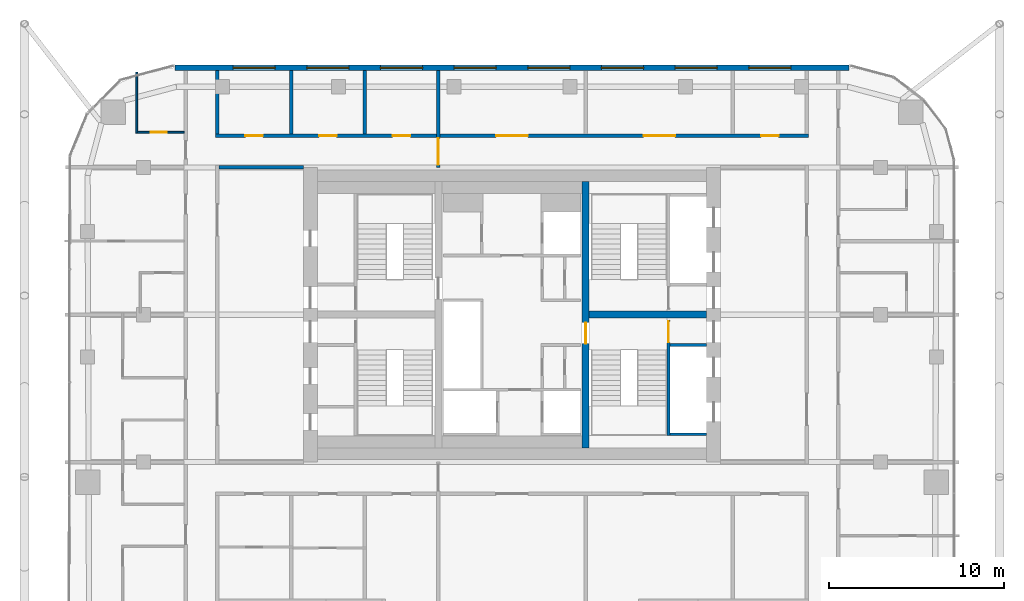
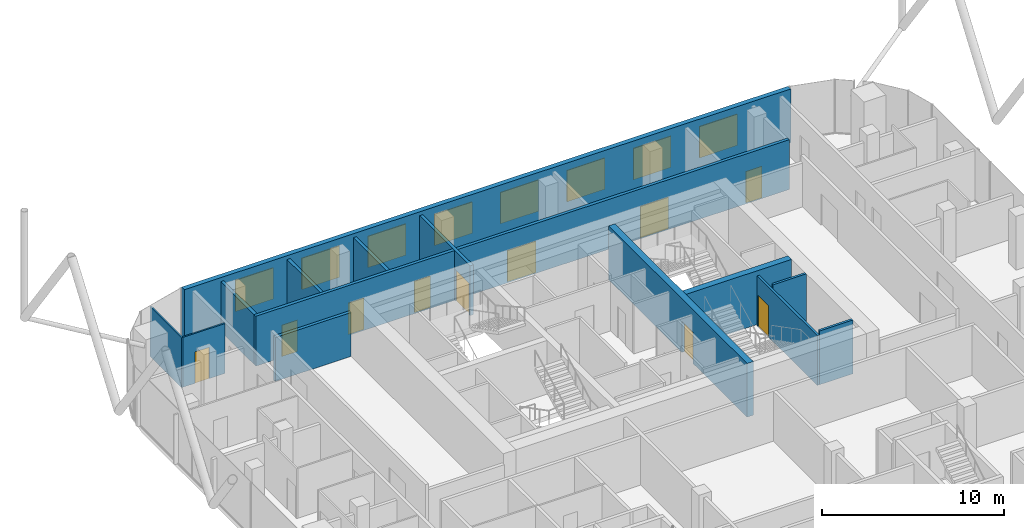
# One storey, part 25 of 28: 14 walls, 10 doors, 8 windows, 18 openings.
"""IFC4 building model written with IfcOpenShell, lengths in metres."""

from ifc_helpers import new_model, si_unit, direction, frame, frame_2d, origin, place, context, subcontext, project, spatial, rectangle, extrude, material, layer, layer_set, type_object, element, fill, save


model = new_model("IFC4")

# Units and contexts
model_context = context("Model", 3, precision=1e-05, world=origin(), true_north=direction((0.0, 1.0)))
body_context = subcontext(model_context, "Body", "Model", "MODEL_VIEW")
ifc_project = project(units=[si_unit("LENGTHUNIT", "METRE"), si_unit("AREAUNIT", "SQUARE_METRE"), si_unit("VOLUMEUNIT", "CUBIC_METRE"), si_unit("PLANEANGLEUNIT", "RADIAN"), si_unit("MASSUNIT", "GRAM", prefix="KILO")], contexts=[model_context])

# Site, building, storey
site_placement = place(None, origin())
site = spatial("IfcSite", under=ifc_project, at=site_placement, CompositionType="ELEMENT")
building_placement = place(site_placement, origin())
building = spatial("IfcBuilding", under=site, at=building_placement, Name="Marenta Gate Hotel Tower", CompositionType="ELEMENT")
storey_placement = place(building_placement, frame((0.0, 0.0, 198.5)))
storey = spatial("IfcBuildingStorey", under=building, at=storey_placement, Name="L45", CompositionType="ELEMENT", Elevation=198.5)

# Wall, openings, windows
ifc_material_1 = material(Name="Concrete C40 board-marked", Category="concrete")
ifc_layer_1 = layer(ifc_material_1, 0.300048828125)
ifc_layer_set_1 = layer_set([ifc_layer_1], Name="Concrete C40 board-marked")
wall_type_1 = type_object("IfcWallType", Name="Board-marked concrete wall 300 mm", PredefinedType="NOTDEFINED", material=ifc_layer_set_1)
wall_1_placement = place(storey_placement, frame((19.205810546875, 22.489990234375, 0.0), z_axis=(0.0, 0.0, 1.0), x_axis=(-1.0, 0.0, 0.0)))
wall_1 = element("IfcWall", 1, at=wall_1_placement, inside=storey, type_object=wall_type_1, Name="L45-CLD-N00", PredefinedType="NOTDEFINED", context=body_context, shape_type="SweptSolid", body=[
    extrude(rectangle(XDim=38.41162109375, YDim=0.300048828125, at=frame_2d((19.205810546875, 0.0))), origin(), (0.0, 0.0, 1.0), 3.60009765625),
])
opening_1_placement = place(wall_1_placement, frame((3.305908203125, 0.0, 0.89990234375)))
opening_1 = element("IfcOpeningElement", 2, at=opening_1_placement, cuts=wall_1, Name="Opening W1", PredefinedType="OPENING", context=body_context, shape_type="SweptSolid", body=[
    extrude(rectangle(XDim=2.39990234375, YDim=2.10009765625, at=frame_2d((1.199951171875, 1.050048828125))), frame((0.0, 0.14990234375, 0.0), z_axis=(0.0, -1.0, 0.0), x_axis=(1.0, 0.0, 0.0)), (0.0, 0.0, 1.0), 0.300048828125),
])
opening_2_placement = place(wall_1_placement, frame((7.505859375, 0.0, 0.89990234375)))
opening_2 = element("IfcOpeningElement", 3, at=opening_2_placement, cuts=wall_1, Name="Opening W1", PredefinedType="OPENING", context=body_context, shape_type="SweptSolid", body=[
    extrude(rectangle(XDim=2.39990234375, YDim=2.10009765625, at=frame_2d((1.199951171875, 1.050048828125))), frame((0.0, 0.14990234375, 0.0), z_axis=(0.0, -1.0, 0.0), x_axis=(1.0, 0.0, 0.0)), (0.0, 0.0, 1.0), 0.300048828125),
])
opening_3_placement = place(wall_1_placement, frame((11.705810546875, 0.0, 0.89990234375)))
opening_3 = element("IfcOpeningElement", 4, at=opening_3_placement, cuts=wall_1, Name="Opening W1", PredefinedType="OPENING", context=body_context, shape_type="SweptSolid", body=[
    extrude(rectangle(XDim=2.39990234375, YDim=2.10009765625, at=frame_2d((1.199951171875, 1.050048828125))), frame((0.0, 0.14990234375, 0.0), z_axis=(0.0, -1.0, 0.0), x_axis=(1.0, 0.0, 0.0)), (0.0, 0.0, 1.0), 0.300048828125),
])
opening_4_placement = place(wall_1_placement, frame((15.906005859375, 0.0, 0.89990234375)))
opening_4 = element("IfcOpeningElement", 5, at=opening_4_placement, cuts=wall_1, Name="Opening W1", PredefinedType="OPENING", context=body_context, shape_type="SweptSolid", body=[
    extrude(rectangle(XDim=2.39990234375, YDim=2.10009765625, at=frame_2d((1.199951171875, 1.050048828125))), frame((0.0, 0.14990234375, 0.0), z_axis=(0.0, -1.0, 0.0), x_axis=(1.0, 0.0, 0.0)), (0.0, 0.0, 1.0), 0.300048828125),
])
opening_5_placement = place(wall_1_placement, frame((20.10595703125, 0.0, 0.89990234375)))
opening_5 = element("IfcOpeningElement", 6, at=opening_5_placement, cuts=wall_1, Name="Opening W1", PredefinedType="OPENING", context=body_context, shape_type="SweptSolid", body=[
    extrude(rectangle(XDim=2.39990234375, YDim=2.10009765625, at=frame_2d((1.199951171875, 1.050048828125))), frame((0.0, 0.14990234375, 0.0), z_axis=(0.0, -1.0, 0.0), x_axis=(1.0, 0.0, 0.0)), (0.0, 0.0, 1.0), 0.300048828125),
])
opening_6_placement = place(wall_1_placement, frame((24.305908203125, 0.0, 0.89990234375)))
opening_6 = element("IfcOpeningElement", 7, at=opening_6_placement, cuts=wall_1, Name="Opening W1", PredefinedType="OPENING", context=body_context, shape_type="SweptSolid", body=[
    extrude(rectangle(XDim=2.39990234375, YDim=2.10009765625, at=frame_2d((1.199951171875, 1.050048828125))), frame((0.0, 0.14990234375, 0.0), z_axis=(0.0, -1.0, 0.0), x_axis=(1.0, 0.0, 0.0)), (0.0, 0.0, 1.0), 0.300048828125),
])
opening_7_placement = place(wall_1_placement, frame((28.505859375, 0.0, 0.89990234375)))
opening_7 = element("IfcOpeningElement", 8, at=opening_7_placement, cuts=wall_1, Name="Opening W1", PredefinedType="OPENING", context=body_context, shape_type="SweptSolid", body=[
    extrude(rectangle(XDim=2.39990234375, YDim=2.10009765625, at=frame_2d((1.199951171875, 1.050048828125))), frame((0.0, 0.14990234375, 0.0), z_axis=(0.0, -1.0, 0.0), x_axis=(1.0, 0.0, 0.0)), (0.0, 0.0, 1.0), 0.300048828125),
])
opening_8_placement = place(wall_1_placement, frame((32.705810546875, 0.0, 0.89990234375)))
opening_8 = element("IfcOpeningElement", 9, at=opening_8_placement, cuts=wall_1, Name="Opening W1", PredefinedType="OPENING", context=body_context, shape_type="SweptSolid", body=[
    extrude(rectangle(XDim=2.39990234375, YDim=2.10009765625, at=frame_2d((1.199951171875, 1.050048828125))), frame((0.0, 0.14990234375, 0.0), z_axis=(0.0, -1.0, 0.0), x_axis=(1.0, 0.0, 0.0)), (0.0, 0.0, 1.0), 0.300048828125),
])
ifc_material_2 = material(Name="Tinted insulated glass in bronze anodised frame", Category="glass")
window_type = type_object("IfcWindowType", Name="Window W1 2400x2100 bronze frame", PartitioningType="SINGLE_PANEL", PredefinedType="WINDOW", material=ifc_material_2)
window_1_placement = place(opening_1_placement, origin())
window_1 = element("IfcWindow", 10, at=window_1_placement, inside=storey, type_object=window_type, Name="Window W1", OverallHeight=2.10009765625, OverallWidth=2.39990234375, PartitioningType="SINGLE_PANEL", PredefinedType="WINDOW", context=body_context, shape_type="SweptSolid", body=[
    extrude(rectangle(XDim=2.39990234375, YDim=2.10009765625, at=frame_2d((1.199951171875, 1.050048828125))), frame((0.0, 0.030029296875, 0.0), z_axis=(0.0, -1.0, 0.0), x_axis=(1.0, 0.0, 0.0)), (0.0, 0.0, 1.0), 0.06005859375),
])
fill(opening_1, window_1)
window_2_placement = place(opening_2_placement, origin())
window_2 = element("IfcWindow", 11, at=window_2_placement, inside=storey, type_object=window_type, Name="Window W1", OverallHeight=2.10009765625, OverallWidth=2.39990234375, PartitioningType="SINGLE_PANEL", PredefinedType="WINDOW", context=body_context, shape_type="SweptSolid", body=[
    extrude(rectangle(XDim=2.39990234375, YDim=2.10009765625, at=frame_2d((1.199951171875, 1.050048828125))), frame((0.0, 0.030029296875, 0.0), z_axis=(0.0, -1.0, 0.0), x_axis=(1.0, 0.0, 0.0)), (0.0, 0.0, 1.0), 0.06005859375),
])
fill(opening_2, window_2)
window_3_placement = place(opening_3_placement, origin())
window_3 = element("IfcWindow", 12, at=window_3_placement, inside=storey, type_object=window_type, Name="Window W1", OverallHeight=2.10009765625, OverallWidth=2.39990234375, PartitioningType="SINGLE_PANEL", PredefinedType="WINDOW", context=body_context, shape_type="SweptSolid", body=[
    extrude(rectangle(XDim=2.39990234375, YDim=2.10009765625, at=frame_2d((1.199951171875, 1.050048828125))), frame((0.0, 0.030029296875, 0.0), z_axis=(0.0, -1.0, 0.0), x_axis=(1.0, 0.0, 0.0)), (0.0, 0.0, 1.0), 0.06005859375),
])
fill(opening_3, window_3)
window_4_placement = place(opening_4_placement, origin())
window_4 = element("IfcWindow", 13, at=window_4_placement, inside=storey, type_object=window_type, Name="Window W1", OverallHeight=2.10009765625, OverallWidth=2.39990234375, PartitioningType="SINGLE_PANEL", PredefinedType="WINDOW", context=body_context, shape_type="SweptSolid", body=[
    extrude(rectangle(XDim=2.39990234375, YDim=2.10009765625, at=frame_2d((1.199951171875, 1.050048828125))), frame((0.0, 0.030029296875, 0.0), z_axis=(0.0, -1.0, 0.0), x_axis=(1.0, 0.0, 0.0)), (0.0, 0.0, 1.0), 0.06005859375),
])
fill(opening_4, window_4)
window_5_placement = place(opening_5_placement, origin())
window_5 = element("IfcWindow", 14, at=window_5_placement, inside=storey, type_object=window_type, Name="Window W1", OverallHeight=2.10009765625, OverallWidth=2.39990234375, PartitioningType="SINGLE_PANEL", PredefinedType="WINDOW", context=body_context, shape_type="SweptSolid", body=[
    extrude(rectangle(XDim=2.39990234375, YDim=2.10009765625, at=frame_2d((1.199951171875, 1.050048828125))), frame((0.0, 0.030029296875, 0.0), z_axis=(0.0, -1.0, 0.0), x_axis=(1.0, 0.0, 0.0)), (0.0, 0.0, 1.0), 0.06005859375),
])
fill(opening_5, window_5)
window_6_placement = place(opening_6_placement, origin())
window_6 = element("IfcWindow", 15, at=window_6_placement, inside=storey, type_object=window_type, Name="Window W1", OverallHeight=2.10009765625, OverallWidth=2.39990234375, PartitioningType="SINGLE_PANEL", PredefinedType="WINDOW", context=body_context, shape_type="SweptSolid", body=[
    extrude(rectangle(XDim=2.39990234375, YDim=2.10009765625, at=frame_2d((1.199951171875, 1.050048828125))), frame((0.0, 0.030029296875, 0.0), z_axis=(0.0, -1.0, 0.0), x_axis=(1.0, 0.0, 0.0)), (0.0, 0.0, 1.0), 0.06005859375),
])
fill(opening_6, window_6)
window_7_placement = place(opening_7_placement, origin())
window_7 = element("IfcWindow", 16, at=window_7_placement, inside=storey, type_object=window_type, Name="Window W1", OverallHeight=2.10009765625, OverallWidth=2.39990234375, PartitioningType="SINGLE_PANEL", PredefinedType="WINDOW", context=body_context, shape_type="SweptSolid", body=[
    extrude(rectangle(XDim=2.39990234375, YDim=2.10009765625, at=frame_2d((1.199951171875, 1.050048828125))), frame((0.0, 0.030029296875, 0.0), z_axis=(0.0, -1.0, 0.0), x_axis=(1.0, 0.0, 0.0)), (0.0, 0.0, 1.0), 0.06005859375),
])
fill(opening_7, window_7)
window_8_placement = place(opening_8_placement, origin())
window_8 = element("IfcWindow", 17, at=window_8_placement, inside=storey, type_object=window_type, Name="Window W1", OverallHeight=2.10009765625, OverallWidth=2.39990234375, PartitioningType="SINGLE_PANEL", PredefinedType="WINDOW", context=body_context, shape_type="SweptSolid", body=[
    extrude(rectangle(XDim=2.39990234375, YDim=2.10009765625, at=frame_2d((1.199951171875, 1.050048828125))), frame((0.0, 0.030029296875, 0.0), z_axis=(0.0, -1.0, 0.0), x_axis=(1.0, 0.0, 0.0)), (0.0, 0.0, 1.0), 0.06005859375),
])
fill(opening_8, window_8)

# Wall, opening, door
ifc_material_3 = material(Name="Concrete blockwork", Category="masonry")
ifc_layer_2 = layer(ifc_material_3, 0.199951171875)
ifc_layer_set_2 = layer_set([ifc_layer_2], Name="Concrete blockwork")
wall_type_2 = type_object("IfcWallType", Name="Compartment wall 200 REI 180", PredefinedType="PARTITIONING", material=ifc_layer_set_2)
wall_2_placement = place(storey_placement, frame((-4.199951171875, 16.800048828125, 0.0), z_axis=(0.0, 0.0, 1.0), x_axis=(0.0, 1.0, 0.0)))
wall_2 = element("IfcWall", 18, at=wall_2_placement, inside=storey, type_object=wall_type_2, Name="L45-PTN-W072", PredefinedType="PARTITIONING", context=body_context, shape_type="SweptSolid", body=[
    extrude(rectangle(XDim=5.5400390625, YDim=0.199951171875, at=frame_2d((2.77001953125, 0.0))), origin(), (0.0, 0.0, 1.0), 3.340087890625),
])
opening_9_placement = place(wall_2_placement, frame((0.14990234375, 0.0, 0.0)))
opening_9 = element("IfcOpeningElement", 19, at=opening_9_placement, cuts=wall_2, Name="Opening G16-FD1", PredefinedType="OPENING", context=body_context, shape_type="SweptSolid", body=[
    extrude(rectangle(XDim=1.5, YDim=2.10009765625, at=frame_2d((0.75, 1.050048828125))), frame((0.0, 0.10009765625, 0.0), z_axis=(0.0, -1.0, 0.0), x_axis=(1.0, 0.0, 0.0)), (0.0, 0.0, 1.0), 0.199951171875),
])
ifc_material_4 = material(Name="Hollow steel door set", Category="steel")
door_type_1 = type_object("IfcDoorType", Name="Compartment fire door 1500x2100 EI 60", OperationType="DOUBLE_DOOR_DOUBLE_SWING", PredefinedType="DOOR", material=ifc_material_4)
door_1_placement = place(opening_9_placement, origin())
door_1 = element("IfcDoor", 20, at=door_1_placement, inside=storey, type_object=door_type_1, Name="L45-PD-FD01", OperationType="DOUBLE_DOOR_DOUBLE_SWING", OverallHeight=2.10009765625, OverallWidth=1.5, PredefinedType="DOOR", context=body_context, shape_type="SweptSolid", body=[
    extrude(rectangle(XDim=1.5, YDim=2.10009765625, at=frame_2d((0.75, 1.050048828125))), frame((0.0, 0.02490234375, 0.0), z_axis=(0.0, -1.0, 0.0), x_axis=(1.0, 0.0, 0.0)), (0.0, 0.0, 1.0), 0.050048828125),
])
fill(opening_9, door_1)

# Walls
ifc_material_5 = material(Name="Concrete blockwork", Category="masonry")
ifc_layer_3 = layer(ifc_material_5, 0.199951171875)
ifc_layer_set_3 = layer_set([ifc_layer_3], Name="Concrete blockwork")
wall_type_3 = type_object("IfcWallType", Name="Core boundary wall 200 REI 180", PredefinedType="PARTITIONING", material=ifc_layer_set_3)
wall_3_placement = place(storey_placement, frame((-16.699951171875, 16.800048828125, 0.0), z_axis=(0.0, 0.0, 1.0), x_axis=(1.0, 0.0, 0.0)))
element("IfcWall", 21, at=wall_3_placement, inside=storey, type_object=wall_type_3, Name="L45-CP-EW-WN", PredefinedType="PARTITIONING", context=body_context, shape_type="SweptSolid", body=[
    extrude(rectangle(XDim=4.800048828125, YDim=0.199951171875, at=frame_2d((2.39990234375, 0.0))), origin(), (0.0, 0.0, 1.0), 2.93994140625),
])
ifc_material_6 = material(Name="Concrete C40", Category="concrete")
ifc_layer_4 = layer(ifc_material_6, 0.14990234375)
ifc_layer_set_4 = layer_set([ifc_layer_4], Name="Concrete C40")
wall_type_4 = type_object("IfcWallType", Name="Core shaft wall 150 REI 180", PredefinedType="SHEAR", material=ifc_layer_set_4)
for number, where, z_axis, x_axis, name in (
    (22, (9.0, 6.675048828125, 0.0), (0.0, 0.0, 1.0), (1.0, 0.0, 0.0), "L45-SHF-SW-ES-2"),
    (23, (9.0, 1.574951171875, 0.0), (0.0, 0.0, 1.0), (1.0, 0.0, 0.0), "L45-SHF-SW-ES-5"),
):
    element("IfcWall", number, at=place(storey_placement, frame(where, z_axis=z_axis, x_axis=x_axis)), inside=storey, type_object=wall_type_4, Name=name, PredefinedType="SHEAR", context=body_context, shape_type="SweptSolid", body=[
        extrude(rectangle(XDim=2.10009765625, YDim=0.14990234375, at=frame_2d((1.050048828125, 0.0))), origin(), (0.0, 0.0, 1.0), 3.60009765625),
    ])

# Wall, opening, door
ifc_material_7 = material(Name="Concrete C40", Category="concrete")
ifc_layer_5 = layer(ifc_material_7, 0.14990234375)
ifc_layer_set_5 = layer_set([ifc_layer_5], Name="Concrete C40")
wall_type_5 = type_object("IfcWallType", Name="Core stair enclosure wall 150 REI 180", PredefinedType="SHEAR", material=ifc_layer_set_5)
wall_4_placement = place(storey_placement, frame((8.925048828125, 1.5, 0.0), z_axis=(0.0, 0.0, 1.0), x_axis=(0.0, 1.0, 0.0)))
wall_4 = element("IfcWall", 24, at=wall_4_placement, inside=storey, type_object=wall_type_5, Name="L45-SHF-SW-ES-3", PredefinedType="SHEAR", context=body_context, shape_type="SweptSolid", body=[
    extrude(rectangle(XDim=6.60009765625, YDim=0.14990234375, at=frame_2d((3.300048828125, 0.0))), origin(), (0.0, 0.0, 1.0), 3.340087890625),
])
opening_10_placement = place(wall_4_placement, frame((5.324951171875, 0.0, 0.0)))
opening_10 = element("IfcOpeningElement", 25, at=opening_10_placement, cuts=wall_4, Name="Opening SD-ES", PredefinedType="OPENING", context=body_context, shape_type="SweptSolid", body=[
    extrude(rectangle(XDim=1.199951171875, YDim=2.10009765625, at=frame_2d((0.60009765625, 1.050048828125))), frame((0.0, 0.074951171875, 0.0), z_axis=(0.0, -1.0, 0.0), x_axis=(1.0, 0.0, 0.0)), (0.0, 0.0, 1.0), 0.14990234375),
])
ifc_material_8 = material(Name="Steel", Category="steel")
door_type_2 = type_object("IfcDoorType", Name="Core stair door 1200x2100 FD60", OperationType="SINGLE_SWING_LEFT", PredefinedType="DOOR", material=ifc_material_8)
door_2_placement = place(opening_10_placement, origin())
door_2 = element("IfcDoor", 26, at=door_2_placement, inside=storey, type_object=door_type_2, Name="SD-ES", OperationType="SINGLE_SWING_LEFT", OverallHeight=2.10009765625, OverallWidth=1.199951171875, PredefinedType="DOOR", context=body_context, shape_type="SweptSolid", body=[
    extrude(rectangle(XDim=1.199951171875, YDim=2.10009765625, at=frame_2d((0.60009765625, 1.050048828125))), frame((0.0, 0.02490234375, 0.0), z_axis=(0.0, -1.0, 0.0), x_axis=(1.0, 0.0, 0.0)), (0.0, 0.0, 1.0), 0.050048828125),
])
fill(opening_10, door_2)

ifc_material_9 = material(Name="Concrete C60", Category="concrete")
ifc_layer_6 = layer(ifc_material_9, 0.39990234375)
ifc_layer_set_6 = layer_set([ifc_layer_6], Name="Concrete C60")
wall_type_6 = type_object("IfcWallType", Name="Core web 400 C60", PredefinedType="SHEAR", material=ifc_layer_set_6)
wall_5_placement = place(storey_placement, frame((4.199951171875, 0.800048828125, 0.0), z_axis=(0.0, 0.0, 1.0), x_axis=(0.0, 1.0, 0.0)))
wall_5 = element("IfcWall", 27, at=wall_5_placement, inside=storey, type_object=wall_type_6, Name="L45-CORE-W2", PredefinedType="SHEAR", context=body_context, shape_type="SweptSolid", body=[
    extrude(rectangle(XDim=15.199951171875, YDim=0.39990234375, at=frame_2d((7.60009765625, 0.0))), origin(), (0.0, 0.0, 1.0), 3.60009765625),
])
opening_11_placement = place(wall_5_placement, frame((5.949951171875, 0.0, 0.0)))
opening_11 = element("IfcOpeningElement", 28, at=opening_11_placement, cuts=wall_5, Name="Opening WD-E", PredefinedType="OPENING", context=body_context, shape_type="SweptSolid", body=[
    extrude(rectangle(XDim=1.199951171875, YDim=2.10009765625, at=frame_2d((0.60009765625, 1.050048828125))), frame((0.0, 0.199951171875, 0.0), z_axis=(0.0, -1.0, 0.0), x_axis=(1.0, 0.0, 0.0)), (0.0, 0.0, 1.0), 0.39990234375),
])
door_3_placement = place(opening_11_placement, origin())
door_3 = element("IfcDoor", 29, at=door_3_placement, inside=storey, type_object=door_type_2, Name="WD-E", OperationType="SINGLE_SWING_LEFT", OverallHeight=2.10009765625, OverallWidth=1.199951171875, PredefinedType="DOOR", context=body_context, shape_type="SweptSolid", body=[
    extrude(rectangle(XDim=1.199951171875, YDim=2.10009765625, at=frame_2d((0.60009765625, 1.050048828125))), frame((0.0, 0.02490234375, 0.0), z_axis=(0.0, -1.0, 0.0), x_axis=(1.0, 0.0, 0.0)), (0.0, 0.0, 1.0), 0.050048828125),
])
fill(opening_11, door_3)

# Walls
wall_6_placement = place(storey_placement, frame((4.39990234375, 8.39990234375, 0.0), z_axis=(0.0, 0.0, 1.0), x_axis=(1.0, 0.0, 0.0)))
element("IfcWall", 30, at=wall_6_placement, inside=storey, type_object=wall_type_6, Name="L45-CORE-W4", PredefinedType="SHEAR", context=body_context, shape_type="SweptSolid", body=[
    extrude(rectangle(XDim=6.7001953125, YDim=0.39990234375, at=frame_2d((3.35009765625, 0.0))), origin(), (0.0, 0.0, 1.0), 3.60009765625),
])
ifc_material_10 = material(Name="Gypsum board on steel stud", Category="steel")
ifc_layer_7 = layer(ifc_material_10, 0.199951171875)
ifc_layer_set_7 = layer_set([ifc_layer_7], Name="Gypsum board on steel stud")
wall_type_7 = type_object("IfcWallType", Name="Room corridor wall 200 EI 60", PredefinedType="PARTITIONING", material=ifc_layer_set_7)
wall_7_placement = place(storey_placement, frame((-16.800048828125, 18.699951171875, 0.0), z_axis=(0.0, 0.0, 1.0), x_axis=(0.0, 1.0, 0.0)))
element("IfcWall", 31, at=wall_7_placement, inside=storey, type_object=wall_type_7, Name="L45-PTN-W096", PredefinedType="PARTITIONING", context=body_context, shape_type="SweptSolid", body=[
    extrude(rectangle(XDim=3.64013671875, YDim=0.199951171875, at=frame_2d((1.820068359375, 0.0))), origin(), (0.0, 0.0, 1.0), 3.340087890625),
])

# Wall, openings, doors
wall_8_placement = place(storey_placement, frame((-16.89990234375, 18.60009765625, 0.0), z_axis=(0.0, 0.0, 1.0), x_axis=(1.0, 0.0, 0.0)))
wall_8 = element("IfcWall", 32, at=wall_8_placement, inside=storey, type_object=wall_type_7, Name="L45-PTN-W100", PredefinedType="PARTITIONING", context=body_context, shape_type="SweptSolid", body=[
    extrude(rectangle(XDim=33.7998046875, YDim=0.199951171875, at=frame_2d((16.89990234375, 0.0))), origin(), (0.0, 0.0, 1.0), 3.340087890625),
])
opening_12_placement = place(wall_8_placement, frame((1.699951171875, 0.0, 0.0)))
opening_12 = element("IfcOpeningElement", 33, at=opening_12_placement, cuts=wall_8, Name="Opening G16-29", PredefinedType="OPENING", context=body_context, shape_type="SweptSolid", body=[
    extrude(rectangle(XDim=1.0, YDim=2.10009765625, at=frame_2d((0.5, 1.050048828125))), frame((0.0, 0.10009765625, 0.0), z_axis=(0.0, -1.0, 0.0), x_axis=(1.0, 0.0, 0.0)), (0.0, 0.0, 1.0), 0.199951171875),
])
opening_13_placement = place(wall_8_placement, frame((16.0, 0.0, 0.0)))
opening_13 = element("IfcOpeningElement", 34, at=opening_13_placement, cuts=wall_8, Name="Opening G16-30", PredefinedType="OPENING", context=body_context, shape_type="SweptSolid", body=[
    extrude(rectangle(XDim=1.800048828125, YDim=2.10009765625, at=frame_2d((0.89990234375, 1.050048828125))), frame((0.0, 0.10009765625, 0.0), z_axis=(0.0, -1.0, 0.0), x_axis=(1.0, 0.0, 0.0)), (0.0, 0.0, 1.0), 0.199951171875),
])
opening_14_placement = place(wall_8_placement, frame((24.39990234375, 0.0, 0.0)))
opening_14 = element("IfcOpeningElement", 35, at=opening_14_placement, cuts=wall_8, Name="Opening G16-31", PredefinedType="OPENING", context=body_context, shape_type="SweptSolid", body=[
    extrude(rectangle(XDim=1.800048828125, YDim=2.10009765625, at=frame_2d((0.89990234375, 1.050048828125))), frame((0.0, 0.10009765625, 0.0), z_axis=(0.0, -1.0, 0.0), x_axis=(1.0, 0.0, 0.0)), (0.0, 0.0, 1.0), 0.199951171875),
])
opening_15_placement = place(wall_8_placement, frame((31.10009765625, 0.0, 0.0)))
opening_15 = element("IfcOpeningElement", 36, at=opening_15_placement, cuts=wall_8, Name="Opening G16-32", PredefinedType="OPENING", context=body_context, shape_type="SweptSolid", body=[
    extrude(rectangle(XDim=1.0, YDim=2.10009765625, at=frame_2d((0.5, 1.050048828125))), frame((0.0, 0.10009765625, 0.0), z_axis=(0.0, -1.0, 0.0), x_axis=(1.0, 0.0, 0.0)), (0.0, 0.0, 1.0), 0.199951171875),
])
opening_16_placement = place(wall_8_placement, frame((5.89990234375, 0.0, 0.0)))
opening_16 = element("IfcOpeningElement", 37, at=opening_16_placement, cuts=wall_8, Name="Opening G16-66", PredefinedType="OPENING", context=body_context, shape_type="SweptSolid", body=[
    extrude(rectangle(XDim=1.0, YDim=2.10009765625, at=frame_2d((0.5, 1.050048828125))), frame((0.0, 0.10009765625, 0.0), z_axis=(0.0, -1.0, 0.0), x_axis=(1.0, 0.0, 0.0)), (0.0, 0.0, 1.0), 0.199951171875),
])
opening_17_placement = place(wall_8_placement, frame((10.10009765625, 0.0, 0.0)))
opening_17 = element("IfcOpeningElement", 38, at=opening_17_placement, cuts=wall_8, Name="Opening G16-67", PredefinedType="OPENING", context=body_context, shape_type="SweptSolid", body=[
    extrude(rectangle(XDim=1.0, YDim=2.10009765625, at=frame_2d((0.5, 1.050048828125))), frame((0.0, 0.10009765625, 0.0), z_axis=(0.0, -1.0, 0.0), x_axis=(1.0, 0.0, 0.0)), (0.0, 0.0, 1.0), 0.199951171875),
])
ifc_material_11 = material(Name="Timber door leaf", Category="wood")
door_type_3 = type_object("IfcDoorType", Name="Room amenity door 1000x2100 EI 30", OperationType="NOTDEFINED", PredefinedType="DOOR", material=ifc_material_11)
door_4_placement = place(opening_12_placement, origin())
door_4 = element("IfcDoor", 39, at=door_4_placement, inside=storey, type_object=door_type_3, Name="L45-PD-D029", OperationType="SINGLE_SWING_LEFT", OverallHeight=2.10009765625, OverallWidth=1.0, PredefinedType="DOOR", context=body_context, shape_type="SweptSolid", body=[
    extrude(rectangle(XDim=1.0, YDim=2.10009765625, at=frame_2d((0.5, 1.050048828125))), frame((0.0, 0.02490234375, 0.0), z_axis=(0.0, -1.0, 0.0), x_axis=(1.0, 0.0, 0.0)), (0.0, 0.0, 1.0), 0.050048828125),
])
fill(opening_12, door_4)
door_5_placement = place(opening_15_placement, origin())
door_5 = element("IfcDoor", 40, at=door_5_placement, inside=storey, type_object=door_type_3, Name="L45-PD-D032", OperationType="SINGLE_SWING_RIGHT", OverallHeight=2.10009765625, OverallWidth=1.0, PredefinedType="DOOR", context=body_context, shape_type="SweptSolid", body=[
    extrude(rectangle(XDim=1.0, YDim=2.10009765625, at=frame_2d((0.5, 1.050048828125))), frame((0.0, 0.02490234375, 0.0), z_axis=(0.0, -1.0, 0.0), x_axis=(1.0, 0.0, 0.0)), (0.0, 0.0, 1.0), 0.050048828125),
])
fill(opening_15, door_5)
door_6_placement = place(opening_16_placement, origin())
door_6 = element("IfcDoor", 41, at=door_6_placement, inside=storey, type_object=door_type_3, Name="L45-PD-D066", OperationType="SINGLE_SWING_RIGHT", OverallHeight=2.10009765625, OverallWidth=1.0, PredefinedType="DOOR", context=body_context, shape_type="SweptSolid", body=[
    extrude(rectangle(XDim=1.0, YDim=2.10009765625, at=frame_2d((0.5, 1.050048828125))), frame((0.0, 0.02490234375, 0.0), z_axis=(0.0, -1.0, 0.0), x_axis=(1.0, 0.0, 0.0)), (0.0, 0.0, 1.0), 0.050048828125),
])
fill(opening_16, door_6)
door_7_placement = place(opening_17_placement, origin())
door_7 = element("IfcDoor", 42, at=door_7_placement, inside=storey, type_object=door_type_3, Name="L45-PD-D067", OperationType="SINGLE_SWING_LEFT", OverallHeight=2.10009765625, OverallWidth=1.0, PredefinedType="DOOR", context=body_context, shape_type="SweptSolid", body=[
    extrude(rectangle(XDim=1.0, YDim=2.10009765625, at=frame_2d((0.5, 1.050048828125))), frame((0.0, 0.02490234375, 0.0), z_axis=(0.0, -1.0, 0.0), x_axis=(1.0, 0.0, 0.0)), (0.0, 0.0, 1.0), 0.050048828125),
])
fill(opening_17, door_7)
ifc_material_12 = material(Name="Timber door leaf", Category="wood")
door_type_4 = type_object("IfcDoorType", Name="Room amenity door 1800x2100 EI 30", OperationType="DOUBLE_DOOR_SINGLE_SWING", PredefinedType="DOOR", material=ifc_material_12)
door_8_placement = place(opening_13_placement, origin())
door_8 = element("IfcDoor", 43, at=door_8_placement, inside=storey, type_object=door_type_4, Name="L45-PD-D030", OperationType="DOUBLE_DOOR_SINGLE_SWING", OverallHeight=2.10009765625, OverallWidth=1.800048828125, PredefinedType="DOOR", context=body_context, shape_type="SweptSolid", body=[
    extrude(rectangle(XDim=1.800048828125, YDim=2.10009765625, at=frame_2d((0.89990234375, 1.050048828125))), frame((0.0, 0.02490234375, 0.0), z_axis=(0.0, -1.0, 0.0), x_axis=(1.0, 0.0, 0.0)), (0.0, 0.0, 1.0), 0.050048828125),
])
fill(opening_13, door_8)
door_9_placement = place(opening_14_placement, origin())
door_9 = element("IfcDoor", 44, at=door_9_placement, inside=storey, type_object=door_type_4, Name="L45-PD-D031", OperationType="DOUBLE_DOOR_SINGLE_SWING", OverallHeight=2.10009765625, OverallWidth=1.800048828125, PredefinedType="DOOR", context=body_context, shape_type="SweptSolid", body=[
    extrude(rectangle(XDim=1.800048828125, YDim=2.10009765625, at=frame_2d((0.89990234375, 1.050048828125))), frame((0.0, 0.02490234375, 0.0), z_axis=(0.0, -1.0, 0.0), x_axis=(1.0, 0.0, 0.0)), (0.0, 0.0, 1.0), 0.050048828125),
])
fill(opening_14, door_9)

# Wall, opening, door
ifc_material_13 = material(Name="Gypsum board on steel stud", Category="steel")
ifc_layer_8 = layer(ifc_material_13, 0.10009765625)
ifc_layer_set_8 = layer_set([ifc_layer_8], Name="Gypsum board on steel stud")
wall_type_8 = type_object("IfcWallType", Name="Room partition 100", PredefinedType="PARTITIONING", material=ifc_layer_set_8)
wall_9_placement = place(storey_placement, frame((-21.35009765625, 18.800048828125, 0.0), z_axis=(0.0, 0.0, 1.0), x_axis=(1.0, 0.0, 0.0)))
wall_9 = element("IfcWall", 45, at=wall_9_placement, inside=storey, type_object=wall_type_8, Name="L45-PTN-W101", PredefinedType="PARTITIONING", context=body_context, shape_type="SweptSolid", body=[
    extrude(rectangle(XDim=2.650146484375, YDim=0.10009765625, at=frame_2d((1.3251953125, 0.0))), origin(), (0.0, 0.0, 1.0), 3.340087890625),
])
opening_18_placement = place(wall_9_placement, frame((0.760009765625, 0.0, 0.0)))
opening_18 = element("IfcOpeningElement", 46, at=opening_18_placement, cuts=wall_9, Name="Opening G16-63", PredefinedType="OPENING", context=body_context, shape_type="SweptSolid", body=[
    extrude(rectangle(XDim=0.89990234375, YDim=2.10009765625, at=frame_2d((0.449951171875, 1.050048828125))), frame((0.0, 0.050048828125, 0.0), z_axis=(0.0, -1.0, 0.0), x_axis=(1.0, 0.0, 0.0)), (0.0, 0.0, 1.0), 0.10009765625),
])
ifc_material_14 = material(Name="Timber door leaf", Category="wood")
door_type_5 = type_object("IfcDoorType", Name="Guest bathroom door 900x2100", OperationType="NOTDEFINED", PredefinedType="DOOR", material=ifc_material_14)
door_10_placement = place(opening_18_placement, origin())
door_10 = element("IfcDoor", 47, at=door_10_placement, inside=storey, type_object=door_type_5, Name="L45-PD-D063", OperationType="SINGLE_SWING_LEFT", OverallHeight=2.10009765625, OverallWidth=0.89990234375, PredefinedType="DOOR", context=body_context, shape_type="SweptSolid", body=[
    extrude(rectangle(XDim=0.89990234375, YDim=2.10009765625, at=frame_2d((0.449951171875, 1.050048828125))), frame((0.0, 0.02490234375, 0.0), z_axis=(0.0, -1.0, 0.0), x_axis=(1.0, 0.0, 0.0)), (0.0, 0.0, 1.0), 0.050048828125),
])
fill(opening_18, door_10)

# Walls
wall_10_placement = place(storey_placement, frame((-21.39990234375, 18.75, 0.0), z_axis=(0.0, 0.0, 1.0), x_axis=(0.0, 1.0, 0.0)))
element("IfcWall", 48, at=wall_10_placement, inside=storey, type_object=wall_type_8, Name="L45-PTN-W104", PredefinedType="PARTITIONING", context=body_context, shape_type="SweptSolid", body=[
    extrude(rectangle(XDim=3.47802734375, YDim=0.10009765625, at=frame_2d((1.739013671875, 0.0))), origin(), (0.0, 0.0, 1.0), 3.340087890625),
])
ifc_material_15 = material(Name="Gypsum board on steel stud", Category="steel")
ifc_layer_9 = layer(ifc_material_15, 0.199951171875)
ifc_layer_set_9 = layer_set([ifc_layer_9], Name="Gypsum board on steel stud")
wall_type_9 = type_object("IfcWallType", Name="Room party wall 200 EI 60", PredefinedType="PARTITIONING", material=ifc_layer_set_9)
for number, where, z_axis, x_axis, name in (
    (49, (-8.39990234375, 18.699951171875, 0.0), (0.0, 0.0, 1.0), (0.0, 1.0, 0.0), "L45-PTN-W078"),
    (50, (-12.60009765625, 18.699951171875, 0.0), (0.0, 0.0, 1.0), (0.0, 1.0, 0.0), "L45-PTN-W087"),
):
    element("IfcWall", number, at=place(storey_placement, frame(where, z_axis=z_axis, x_axis=x_axis)), inside=storey, type_object=wall_type_9, Name=name, PredefinedType="PARTITIONING", context=body_context, shape_type="SweptSolid", body=[
        extrude(rectangle(XDim=3.64013671875, YDim=0.199951171875, at=frame_2d((1.820068359375, 0.0))), origin(), (0.0, 0.0, 1.0), 3.340087890625),
    ])

save(model, "model.ifc")
